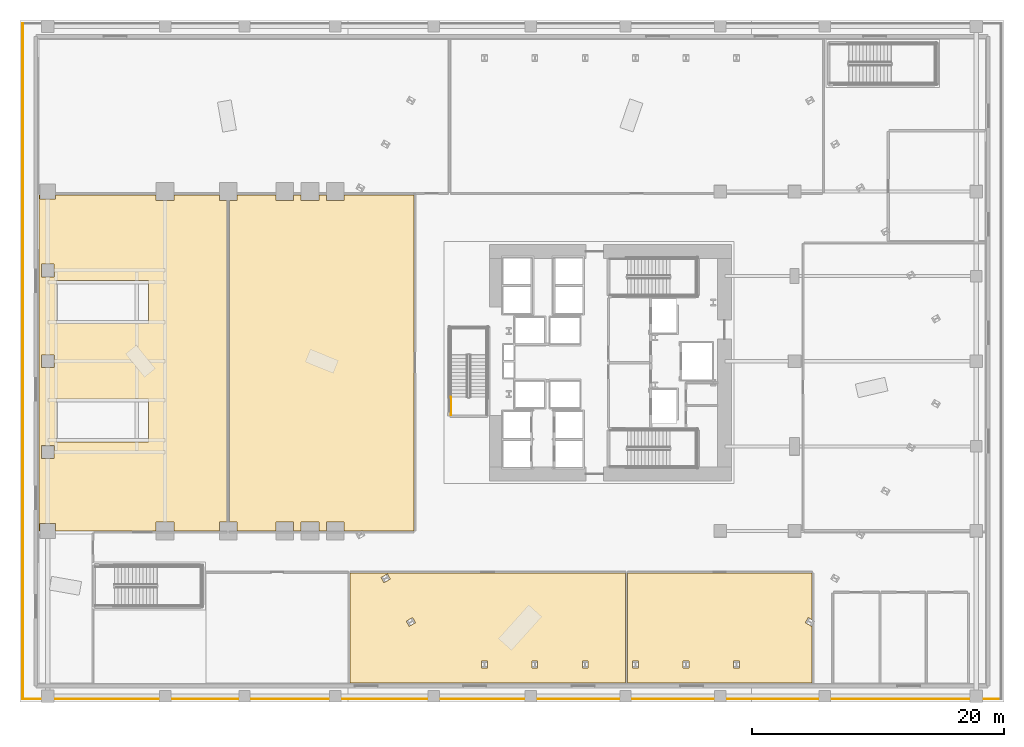
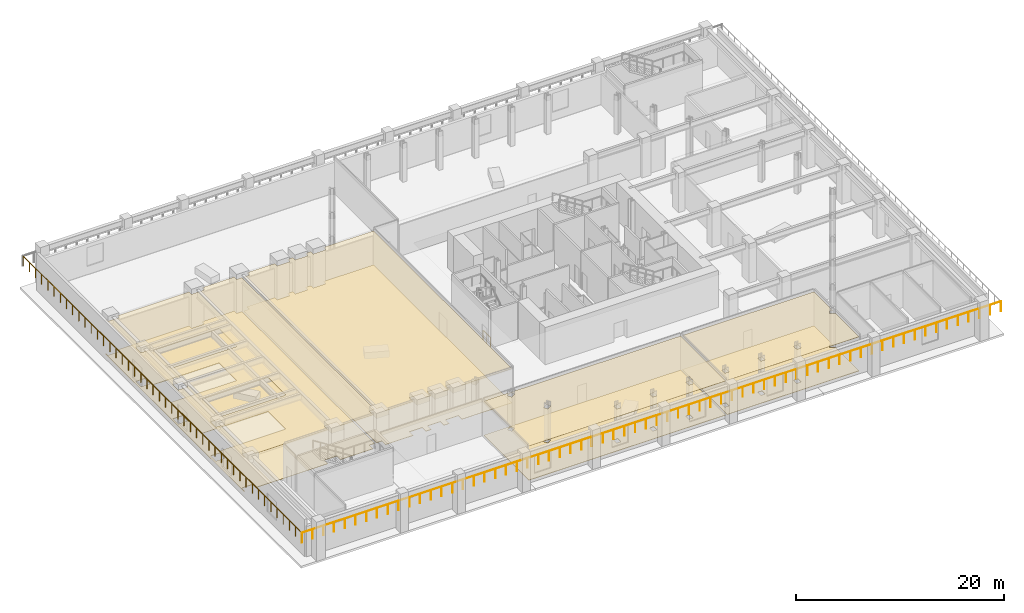
# One storey, part 10 of 18: 8 coverings, 3 railings.
"""IFC4 building model written with IfcOpenShell, lengths in metres."""

from ifc_helpers import new_model, si_unit, direction, frame, origin, origin_2d, place, context, subcontext, project, spatial, polyline, circle, outline, extrude, material, layer, layer_set, type_object, element, save


model = new_model("IFC4")

# Units and contexts
model_context = context("Model", 3, precision=1e-05, world=origin(), true_north=direction((0.0, 1.0)))
body_context = subcontext(model_context, "Body", "Model", "MODEL_VIEW")
ifc_project = project(units=[si_unit("LENGTHUNIT", "METRE"), si_unit("AREAUNIT", "SQUARE_METRE"), si_unit("VOLUMEUNIT", "CUBIC_METRE"), si_unit("PLANEANGLEUNIT", "RADIAN"), si_unit("MASSUNIT", "GRAM", prefix="KILO")], contexts=[model_context])

# Site, building, storey
site_placement = place(None, origin())
site = spatial("IfcSite", under=ifc_project, at=site_placement, CompositionType="ELEMENT")
building_placement = place(site_placement, origin())
building = spatial("IfcBuilding", under=site, at=building_placement, Name="Valkerne Bourse Tower", CompositionType="ELEMENT")
storey_placement = place(building_placement, frame((0.0, 0.0, 14.800048828125)))
storey = spatial("IfcBuildingStorey", under=building, at=storey_placement, Name="L03", CompositionType="ELEMENT", Elevation=14.800048828125)

# Coverings
ifc_material_1 = material(Name="Mineral Fiber Acoustic Ceiling Tile", Category="acoustic")
ifc_layer_1 = layer(ifc_material_1, 0.02490234375)
ifc_layer_set_1 = layer_set([ifc_layer_1], Name="Mineral Fiber Acoustic Ceiling Tile")
covering_type_1 = type_object("IfcCoveringType", Name="COV-CEIL-ACT", PredefinedType="CEILING", material=ifc_layer_set_1)
covering_1_placement = place(storey_placement, frame((0.0, 0.0, 4.010009765625)))
element("IfcCovering", 1, at=covering_1_placement, inside=storey, type_object=covering_type_1, Name="L03 Suspended Ceiling 03", PredefinedType="CEILING", context=body_context, shape_type="SweptSolid", body=[
    extrude(outline(polyline([(26.1640625, 10.196044921875), (47.99609375, 10.196044921875), (47.99609375, 1.50390625), (26.1640625, 1.50390625), (26.1640625, 10.196044921875)]), holes=[polyline([(28.618896484375, 9.84912109375), (28.850341796875, 9.4482421875), (29.35009765625, 9.73681640625), (29.11865234375, 10.137451171875), (28.618896484375, 9.84912109375)]), polyline([(37.04150390625, 3.25634765625), (36.57861328125, 3.25634765625), (36.57861328125, 2.67919921875), (37.04150390625, 2.67919921875), (37.04150390625, 3.25634765625)]), polyline([(45.033203125, 3.25634765625), (44.57080078125, 3.25634765625), (44.57080078125, 2.67919921875), (45.033203125, 2.67919921875), (45.033203125, 3.25634765625)]), polyline([(40.57470703125, 3.25634765625), (40.57470703125, 2.67919921875), (41.037353515625, 2.67919921875), (41.037353515625, 3.25634765625), (40.57470703125, 3.25634765625)]), polyline([(31.11669921875, 6.677001953125), (30.616943359375, 6.388427734375), (30.848388671875, 5.98779296875), (31.347900390625, 6.276123046875), (31.11669921875, 6.677001953125)])]), origin(), (0.0, 0.0, 1.0), 0.02490234375),
])
covering_2_placement = place(storey_placement, frame((0.0, 0.0, 4.010009765625)))
element("IfcCovering", 2, at=covering_2_placement, inside=storey, type_object=covering_type_1, Name="L03 Suspended Ceiling 04", PredefinedType="CEILING", context=body_context, shape_type="SweptSolid", body=[
    extrude(outline(polyline([(48.1640625, 10.196044921875), (62.7958984375, 10.196044921875), (62.7958984375, 6.496337890625), (62.4833984375, 6.677001953125), (62.251953125, 6.276123046875), (62.751708984375, 5.98779296875), (62.7958984375, 6.064453125), (62.7958984375, 1.50390625), (48.1640625, 1.50390625), (48.1640625, 10.196044921875)]), holes=[polyline([(48.566650390625, 3.25634765625), (48.566650390625, 2.67919921875), (49.029296875, 2.67919921875), (49.029296875, 3.25634765625), (48.566650390625, 3.25634765625)]), polyline([(52.5625, 3.25634765625), (52.5625, 2.67919921875), (53.025390625, 2.67919921875), (53.025390625, 3.25634765625), (52.5625, 3.25634765625)]), polyline([(57.021240234375, 3.25634765625), (56.55859375, 3.25634765625), (56.55859375, 2.67919921875), (57.021240234375, 2.67919921875), (57.021240234375, 3.25634765625)])]), origin(), (0.0, 0.0, 1.0), 0.02490234375),
])
covering_3_placement = place(storey_placement, frame((0.0, 0.0, 4.010009765625)))
element("IfcCovering", 3, at=covering_3_placement, inside=storey, type_object=covering_type_1, Name="L03 Suspended Ceiling 12", PredefinedType="CEILING", context=body_context, shape_type="SweptSolid", body=[
    extrude(outline(polyline([(1.50390625, 40.196044921875), (1.595947265625, 40.196044921875), (1.595947265625, 39.845947265625), (2.803955078125, 39.845947265625), (2.803955078125, 40.196044921875), (10.7958984375, 40.196044921875), (10.7958984375, 39.74609375), (12.2041015625, 39.74609375), (12.2041015625, 40.196044921875), (15.7958984375, 40.196044921875), (15.7958984375, 39.74609375), (16.39599609375, 39.74609375), (16.39599609375, 14.25390625), (15.7958984375, 14.25390625), (15.7958984375, 13.553955078125), (12.2041015625, 13.553955078125), (12.2041015625, 14.25390625), (10.7958984375, 14.25390625), (10.7958984375, 13.553955078125), (2.803955078125, 13.553955078125), (2.803955078125, 14.154052734375), (1.595947265625, 14.154052734375), (1.595947265625, 13.553955078125), (1.50390625, 13.553955078125), (1.50390625, 40.196044921875)]), holes=[polyline([(1.696044921875, 20.303955078125), (1.696044921875, 19.2958984375), (2.7041015625, 19.2958984375), (2.7041015625, 20.303955078125), (1.696044921875, 20.303955078125)]), polyline([(2.89990234375, 24.0), (2.89990234375, 20.60009765625), (10.199951171875, 20.60009765625), (10.199951171875, 24.0), (2.89990234375, 24.0)]), polyline([(2.7041015625, 27.50390625), (1.696044921875, 27.50390625), (1.696044921875, 26.49609375), (2.7041015625, 26.49609375), (2.7041015625, 27.50390625)]), polyline([(2.89990234375, 30.0), (10.199951171875, 30.0), (10.199951171875, 33.39990234375), (2.89990234375, 33.39990234375), (2.89990234375, 30.0)]), polyline([(2.7041015625, 34.7041015625), (1.696044921875, 34.7041015625), (1.696044921875, 33.696044921875), (2.7041015625, 33.696044921875), (2.7041015625, 34.7041015625)])]), origin(), (0.0, 0.0, 1.0), 0.02490234375),
])
covering_4_placement = place(storey_placement, frame((0.0, 0.0, 4.010009765625)))
element("IfcCovering", 4, at=covering_4_placement, inside=storey, type_object=covering_type_1, Name="L03 Suspended Ceiling 13", PredefinedType="CEILING", context=body_context, shape_type="SweptSolid", body=[
    extrude(outline(polyline([(16.60400390625, 39.74609375), (17.2041015625, 39.74609375), (17.2041015625, 40.196044921875), (20.2880859375, 40.196044921875), (20.2880859375, 39.74609375), (21.696044921875, 39.74609375), (21.696044921875, 40.196044921875), (22.287109375, 40.196044921875), (22.287109375, 39.74609375), (23.695068359375, 39.74609375), (23.695068359375, 40.196044921875), (24.283935546875, 40.196044921875), (24.283935546875, 39.74609375), (25.69189453125, 39.74609375), (25.69189453125, 40.196044921875), (31.24609375, 40.196044921875), (31.24609375, 13.553955078125), (27.146240234375, 13.553955078125), (27.12060546875, 13.59814453125), (27.044189453125, 13.553955078125), (25.69189453125, 13.553955078125), (25.69189453125, 14.25390625), (24.283935546875, 14.25390625), (24.283935546875, 13.553955078125), (23.695068359375, 13.553955078125), (23.695068359375, 14.25390625), (22.287109375, 14.25390625), (22.287109375, 13.553955078125), (21.696044921875, 13.553955078125), (21.696044921875, 14.25390625), (20.2880859375, 14.25390625), (20.2880859375, 13.553955078125), (17.2041015625, 13.553955078125), (17.2041015625, 14.25390625), (16.60400390625, 14.25390625), (16.60400390625, 39.74609375)])), origin(), (0.0, 0.0, 1.0), 0.02490234375),
])
ifc_material_2 = material(Name="Galvanised Painted Steel", Category="steel")
ifc_layer_2 = layer(ifc_material_2, 0.044921875)
ifc_layer_set_2 = layer_set([ifc_layer_2], Name="Galvanised Painted Steel")
covering_type_2 = type_object("IfcCoveringType", Name="COV-FLR-RAF", PredefinedType="FLOORING", material=ifc_layer_set_2)
covering_5_placement = place(storey_placement, origin())
element("IfcCovering", 5, at=covering_5_placement, inside=storey, type_object=covering_type_2, Name="L03 Floor Finish 03", PredefinedType="FLOORING", context=body_context, shape_type="SweptSolid", body=[
    extrude(outline(polyline([(26.1640625, 10.196044921875), (47.99609375, 10.196044921875), (47.99609375, 1.50390625), (26.1640625, 1.50390625), (26.1640625, 10.196044921875)]), holes=[polyline([(28.618896484375, 9.84912109375), (28.850341796875, 9.4482421875), (29.35009765625, 9.73681640625), (29.11865234375, 10.137451171875), (28.618896484375, 9.84912109375)]), polyline([(37.04150390625, 3.25634765625), (36.57861328125, 3.25634765625), (36.57861328125, 2.67919921875), (37.04150390625, 2.67919921875), (37.04150390625, 3.25634765625)]), polyline([(45.033203125, 3.25634765625), (44.57080078125, 3.25634765625), (44.57080078125, 2.67919921875), (45.033203125, 2.67919921875), (45.033203125, 3.25634765625)]), polyline([(40.57470703125, 3.25634765625), (40.57470703125, 2.67919921875), (41.037353515625, 2.67919921875), (41.037353515625, 3.25634765625), (40.57470703125, 3.25634765625)]), polyline([(31.11669921875, 6.677001953125), (30.616943359375, 6.388427734375), (30.848388671875, 5.98779296875), (31.347900390625, 6.276123046875), (31.11669921875, 6.677001953125)])]), origin(), (0.0, 0.0, 1.0), 0.044921875),
])
covering_6_placement = place(storey_placement, origin())
element("IfcCovering", 6, at=covering_6_placement, inside=storey, type_object=covering_type_2, Name="L03 Floor Finish 04", PredefinedType="FLOORING", context=body_context, shape_type="SweptSolid", body=[
    extrude(outline(polyline([(48.1640625, 10.196044921875), (62.7958984375, 10.196044921875), (62.7958984375, 6.496337890625), (62.4833984375, 6.677001953125), (62.251953125, 6.276123046875), (62.751708984375, 5.98779296875), (62.7958984375, 6.064453125), (62.7958984375, 1.50390625), (48.1640625, 1.50390625), (48.1640625, 10.196044921875)]), holes=[polyline([(48.566650390625, 3.25634765625), (48.566650390625, 2.67919921875), (49.029296875, 2.67919921875), (49.029296875, 3.25634765625), (48.566650390625, 3.25634765625)]), polyline([(52.5625, 3.25634765625), (52.5625, 2.67919921875), (53.025390625, 2.67919921875), (53.025390625, 3.25634765625), (52.5625, 3.25634765625)]), polyline([(57.021240234375, 3.25634765625), (56.55859375, 3.25634765625), (56.55859375, 2.67919921875), (57.021240234375, 2.67919921875), (57.021240234375, 3.25634765625)])]), origin(), (0.0, 0.0, 1.0), 0.044921875),
])
covering_7_placement = place(storey_placement, origin())
element("IfcCovering", 7, at=covering_7_placement, inside=storey, type_object=covering_type_2, Name="L03 Floor Finish 12", PredefinedType="FLOORING", context=body_context, shape_type="SweptSolid", body=[
    extrude(outline(polyline([(1.50390625, 40.196044921875), (1.595947265625, 40.196044921875), (1.595947265625, 39.845947265625), (2.803955078125, 39.845947265625), (2.803955078125, 40.196044921875), (10.7958984375, 40.196044921875), (10.7958984375, 39.74609375), (12.2041015625, 39.74609375), (12.2041015625, 40.196044921875), (15.7958984375, 40.196044921875), (15.7958984375, 39.74609375), (16.39599609375, 39.74609375), (16.39599609375, 14.25390625), (15.7958984375, 14.25390625), (15.7958984375, 13.553955078125), (12.2041015625, 13.553955078125), (12.2041015625, 14.25390625), (10.7958984375, 14.25390625), (10.7958984375, 13.553955078125), (2.803955078125, 13.553955078125), (2.803955078125, 14.154052734375), (1.595947265625, 14.154052734375), (1.595947265625, 13.553955078125), (1.50390625, 13.553955078125), (1.50390625, 40.196044921875)]), holes=[polyline([(1.696044921875, 20.303955078125), (1.696044921875, 19.2958984375), (2.7041015625, 19.2958984375), (2.7041015625, 20.303955078125), (1.696044921875, 20.303955078125)]), polyline([(2.89990234375, 24.0), (2.89990234375, 20.60009765625), (10.199951171875, 20.60009765625), (10.199951171875, 24.0), (2.89990234375, 24.0)]), polyline([(2.7041015625, 27.50390625), (1.696044921875, 27.50390625), (1.696044921875, 26.49609375), (2.7041015625, 26.49609375), (2.7041015625, 27.50390625)]), polyline([(2.89990234375, 30.0), (10.199951171875, 30.0), (10.199951171875, 33.39990234375), (2.89990234375, 33.39990234375), (2.89990234375, 30.0)]), polyline([(2.7041015625, 34.7041015625), (1.696044921875, 34.7041015625), (1.696044921875, 33.696044921875), (2.7041015625, 33.696044921875), (2.7041015625, 34.7041015625)])]), origin(), (0.0, 0.0, 1.0), 0.044921875),
])
covering_8_placement = place(storey_placement, origin())
element("IfcCovering", 8, at=covering_8_placement, inside=storey, type_object=covering_type_2, Name="L03 Floor Finish 13", PredefinedType="FLOORING", context=body_context, shape_type="SweptSolid", body=[
    extrude(outline(polyline([(16.60400390625, 39.74609375), (17.2041015625, 39.74609375), (17.2041015625, 40.196044921875), (20.2880859375, 40.196044921875), (20.2880859375, 39.74609375), (21.696044921875, 39.74609375), (21.696044921875, 40.196044921875), (22.287109375, 40.196044921875), (22.287109375, 39.74609375), (23.695068359375, 39.74609375), (23.695068359375, 40.196044921875), (24.283935546875, 40.196044921875), (24.283935546875, 39.74609375), (25.69189453125, 39.74609375), (25.69189453125, 40.196044921875), (31.24609375, 40.196044921875), (31.24609375, 13.553955078125), (27.146240234375, 13.553955078125), (27.12060546875, 13.59814453125), (27.044189453125, 13.553955078125), (25.69189453125, 13.553955078125), (25.69189453125, 14.25390625), (24.283935546875, 14.25390625), (24.283935546875, 13.553955078125), (23.695068359375, 13.553955078125), (23.695068359375, 14.25390625), (22.287109375, 14.25390625), (22.287109375, 13.553955078125), (21.696044921875, 13.553955078125), (21.696044921875, 14.25390625), (20.2880859375, 14.25390625), (20.2880859375, 13.553955078125), (17.2041015625, 13.553955078125), (17.2041015625, 14.25390625), (16.60400390625, 14.25390625), (16.60400390625, 39.74609375)])), origin(), (0.0, 0.0, 1.0), 0.044921875),
])

# Railings
ifc_material_3 = material(Name="Laminated Tempered Safety Glass", Category="glass")
railing_type_1 = type_object("IfcRailingType", Name="RLG-GUARD-1150", PredefinedType="BALUSTRADE", material=ifc_material_3)
railing_1_placement = place(storey_placement, frame((0.219970703125, 0.219970703125, 2.599853515625)))
element("IfcRailing", 9, at=railing_1_placement, inside=storey, type_object=railing_type_1, Name="L03 Perimeter Guard Railing GRD-POD-L03-01", PredefinedType="BALUSTRADE", context=body_context, shape_type="SweptSolid", body=[
    extrude(circle(Radius=0.02392578125, at=origin_2d()), frame((0.0, 0.0, 1.1259765625), z_axis=(1.0, 0.0, 0.0), x_axis=(0.0, 1.0, 0.0)), (0.0, 0.0, 1.0), 77.56005859375),
    extrude(circle(Radius=0.02099609375, at=origin_2d()), origin(), (0.0, 0.0, 1.0), 1.101806640625),
    extrude(circle(Radius=0.02099609375, at=origin_2d()), frame((1.193115234375, 0.0, 0.0)), (0.0, 0.0, 1.0), 1.101806640625),
    extrude(circle(Radius=0.02099609375, at=origin_2d()), frame((2.386474609375, 0.0, 0.0)), (0.0, 0.0, 1.0), 1.101806640625),
    extrude(circle(Radius=0.02099609375, at=origin_2d()), frame((3.57958984375, 0.0, 0.0)), (0.0, 0.0, 1.0), 1.101806640625),
    extrude(circle(Radius=0.02099609375, at=origin_2d()), frame((4.77294921875, 0.0, 0.0)), (0.0, 0.0, 1.0), 1.101806640625),
    extrude(circle(Radius=0.02099609375, at=origin_2d()), frame((5.966064453125, 0.0, 0.0)), (0.0, 0.0, 1.0), 1.101806640625),
    extrude(circle(Radius=0.02099609375, at=origin_2d()), frame((7.159423828125, 0.0, 0.0)), (0.0, 0.0, 1.0), 1.101806640625),
    extrude(circle(Radius=0.02099609375, at=origin_2d()), frame((8.3525390625, 0.0, 0.0)), (0.0, 0.0, 1.0), 1.101806640625),
    extrude(circle(Radius=0.02099609375, at=origin_2d()), frame((9.5458984375, 0.0, 0.0)), (0.0, 0.0, 1.0), 1.101806640625),
    extrude(circle(Radius=0.02099609375, at=origin_2d()), frame((10.739013671875, 0.0, 0.0)), (0.0, 0.0, 1.0), 1.101806640625),
    extrude(circle(Radius=0.02099609375, at=origin_2d()), frame((11.932373046875, 0.0, 0.0)), (0.0, 0.0, 1.0), 1.101806640625),
    extrude(circle(Radius=0.02099609375, at=origin_2d()), frame((13.12548828125, 0.0, 0.0)), (0.0, 0.0, 1.0), 1.101806640625),
    extrude(circle(Radius=0.02099609375, at=origin_2d()), frame((14.31884765625, 0.0, 0.0)), (0.0, 0.0, 1.0), 1.101806640625),
    extrude(circle(Radius=0.02099609375, at=origin_2d()), frame((15.511962890625, 0.0, 0.0)), (0.0, 0.0, 1.0), 1.101806640625),
    extrude(circle(Radius=0.02099609375, at=origin_2d()), frame((16.705322265625, 0.0, 0.0)), (0.0, 0.0, 1.0), 1.101806640625),
    extrude(circle(Radius=0.02099609375, at=origin_2d()), frame((17.8984375, 0.0, 0.0)), (0.0, 0.0, 1.0), 1.101806640625),
    extrude(circle(Radius=0.02099609375, at=origin_2d()), frame((19.091796875, 0.0, 0.0)), (0.0, 0.0, 1.0), 1.101806640625),
    extrude(circle(Radius=0.02099609375, at=origin_2d()), frame((20.284912109375, 0.0, 0.0)), (0.0, 0.0, 1.0), 1.101806640625),
    extrude(circle(Radius=0.02099609375, at=origin_2d()), frame((21.478271484375, 0.0, 0.0)), (0.0, 0.0, 1.0), 1.101806640625),
    extrude(circle(Radius=0.02099609375, at=origin_2d()), frame((22.67138671875, 0.0, 0.0)), (0.0, 0.0, 1.0), 1.101806640625),
    extrude(circle(Radius=0.02099609375, at=origin_2d()), frame((23.86474609375, 0.0, 0.0)), (0.0, 0.0, 1.0), 1.101806640625),
    extrude(circle(Radius=0.02099609375, at=origin_2d()), frame((25.057861328125, 0.0, 0.0)), (0.0, 0.0, 1.0), 1.101806640625),
    extrude(circle(Radius=0.02099609375, at=origin_2d()), frame((26.2509765625, 0.0, 0.0)), (0.0, 0.0, 1.0), 1.101806640625),
    extrude(circle(Radius=0.02099609375, at=origin_2d()), frame((27.4443359375, 0.0, 0.0)), (0.0, 0.0, 1.0), 1.101806640625),
    extrude(circle(Radius=0.02099609375, at=origin_2d()), frame((28.637451171875, 0.0, 0.0)), (0.0, 0.0, 1.0), 1.101806640625),
    extrude(circle(Radius=0.02099609375, at=origin_2d()), frame((29.830810546875, 0.0, 0.0)), (0.0, 0.0, 1.0), 1.101806640625),
    extrude(circle(Radius=0.02099609375, at=origin_2d()), frame((31.02392578125, 0.0, 0.0)), (0.0, 0.0, 1.0), 1.101806640625),
    extrude(circle(Radius=0.02099609375, at=origin_2d()), frame((32.21728515625, 0.0, 0.0)), (0.0, 0.0, 1.0), 1.101806640625),
    extrude(circle(Radius=0.02099609375, at=origin_2d()), frame((33.410400390625, 0.0, 0.0)), (0.0, 0.0, 1.0), 1.101806640625),
    extrude(circle(Radius=0.02099609375, at=origin_2d()), frame((34.603759765625, 0.0, 0.0)), (0.0, 0.0, 1.0), 1.101806640625),
    extrude(circle(Radius=0.02099609375, at=origin_2d()), frame((35.796875, 0.0, 0.0)), (0.0, 0.0, 1.0), 1.101806640625),
    extrude(circle(Radius=0.02099609375, at=origin_2d()), frame((36.990234375, 0.0, 0.0)), (0.0, 0.0, 1.0), 1.101806640625),
    extrude(circle(Radius=0.02099609375, at=origin_2d()), frame((38.183349609375, 0.0, 0.0)), (0.0, 0.0, 1.0), 1.101806640625),
    extrude(circle(Radius=0.02099609375, at=origin_2d()), frame((39.376708984375, 0.0, 0.0)), (0.0, 0.0, 1.0), 1.101806640625),
    extrude(circle(Radius=0.02099609375, at=origin_2d()), frame((40.56982421875, 0.0, 0.0)), (0.0, 0.0, 1.0), 1.101806640625),
    extrude(circle(Radius=0.02099609375, at=origin_2d()), frame((41.76318359375, 0.0, 0.0)), (0.0, 0.0, 1.0), 1.101806640625),
    extrude(circle(Radius=0.02099609375, at=origin_2d()), frame((42.956298828125, 0.0, 0.0)), (0.0, 0.0, 1.0), 1.101806640625),
    extrude(circle(Radius=0.02099609375, at=origin_2d()), frame((44.149658203125, 0.0, 0.0)), (0.0, 0.0, 1.0), 1.101806640625),
    extrude(circle(Radius=0.02099609375, at=origin_2d()), frame((45.3427734375, 0.0, 0.0)), (0.0, 0.0, 1.0), 1.101806640625),
    extrude(circle(Radius=0.02099609375, at=origin_2d()), frame((46.5361328125, 0.0, 0.0)), (0.0, 0.0, 1.0), 1.101806640625),
    extrude(circle(Radius=0.02099609375, at=origin_2d()), frame((47.729248046875, 0.0, 0.0)), (0.0, 0.0, 1.0), 1.101806640625),
    extrude(circle(Radius=0.02099609375, at=origin_2d()), frame((48.922607421875, 0.0, 0.0)), (0.0, 0.0, 1.0), 1.101806640625),
    extrude(circle(Radius=0.02099609375, at=origin_2d()), frame((50.11572265625, 0.0, 0.0)), (0.0, 0.0, 1.0), 1.101806640625),
    extrude(circle(Radius=0.02099609375, at=origin_2d()), frame((51.30908203125, 0.0, 0.0)), (0.0, 0.0, 1.0), 1.101806640625),
    extrude(circle(Radius=0.02099609375, at=origin_2d()), frame((52.502197265625, 0.0, 0.0)), (0.0, 0.0, 1.0), 1.101806640625),
    extrude(circle(Radius=0.02099609375, at=origin_2d()), frame((53.6953125, 0.0, 0.0)), (0.0, 0.0, 1.0), 1.101806640625),
    extrude(circle(Radius=0.02099609375, at=origin_2d()), frame((54.888671875, 0.0, 0.0)), (0.0, 0.0, 1.0), 1.101806640625),
    extrude(circle(Radius=0.02099609375, at=origin_2d()), frame((56.081787109375, 0.0, 0.0)), (0.0, 0.0, 1.0), 1.101806640625),
    extrude(circle(Radius=0.02099609375, at=origin_2d()), frame((57.275146484375, 0.0, 0.0)), (0.0, 0.0, 1.0), 1.101806640625),
    extrude(circle(Radius=0.02099609375, at=origin_2d()), frame((58.46826171875, 0.0, 0.0)), (0.0, 0.0, 1.0), 1.101806640625),
    extrude(circle(Radius=0.02099609375, at=origin_2d()), frame((59.66162109375, 0.0, 0.0)), (0.0, 0.0, 1.0), 1.101806640625),
    extrude(circle(Radius=0.02099609375, at=origin_2d()), frame((60.854736328125, 0.0, 0.0)), (0.0, 0.0, 1.0), 1.101806640625),
    extrude(circle(Radius=0.02099609375, at=origin_2d()), frame((62.048095703125, 0.0, 0.0)), (0.0, 0.0, 1.0), 1.101806640625),
    extrude(circle(Radius=0.02099609375, at=origin_2d()), frame((63.2412109375, 0.0, 0.0)), (0.0, 0.0, 1.0), 1.101806640625),
    extrude(circle(Radius=0.02099609375, at=origin_2d()), frame((64.4345703125, 0.0, 0.0)), (0.0, 0.0, 1.0), 1.101806640625),
    extrude(circle(Radius=0.02099609375, at=origin_2d()), frame((65.627685546875, 0.0, 0.0)), (0.0, 0.0, 1.0), 1.101806640625),
    extrude(circle(Radius=0.02099609375, at=origin_2d()), frame((66.821044921875, 0.0, 0.0)), (0.0, 0.0, 1.0), 1.101806640625),
    extrude(circle(Radius=0.02099609375, at=origin_2d()), frame((68.01416015625, 0.0, 0.0)), (0.0, 0.0, 1.0), 1.101806640625),
    extrude(circle(Radius=0.02099609375, at=origin_2d()), frame((69.20751953125, 0.0, 0.0)), (0.0, 0.0, 1.0), 1.101806640625),
    extrude(circle(Radius=0.02099609375, at=origin_2d()), frame((70.400634765625, 0.0, 0.0)), (0.0, 0.0, 1.0), 1.101806640625),
    extrude(circle(Radius=0.02099609375, at=origin_2d()), frame((71.593994140625, 0.0, 0.0)), (0.0, 0.0, 1.0), 1.101806640625),
    extrude(circle(Radius=0.02099609375, at=origin_2d()), frame((72.787109375, 0.0, 0.0)), (0.0, 0.0, 1.0), 1.101806640625),
    extrude(circle(Radius=0.02099609375, at=origin_2d()), frame((73.98046875, 0.0, 0.0)), (0.0, 0.0, 1.0), 1.101806640625),
    extrude(circle(Radius=0.02099609375, at=origin_2d()), frame((75.173583984375, 0.0, 0.0)), (0.0, 0.0, 1.0), 1.101806640625),
    extrude(circle(Radius=0.02099609375, at=origin_2d()), frame((76.366943359375, 0.0, 0.0)), (0.0, 0.0, 1.0), 1.101806640625),
    extrude(circle(Radius=0.02099609375, at=origin_2d()), frame((77.56005859375, 0.0, 0.0)), (0.0, 0.0, 1.0), 1.101806640625),
])
railing_2_placement = place(storey_placement, frame((0.219970703125, 53.780029296875, 2.599853515625)))
element("IfcRailing", 10, at=railing_2_placement, inside=storey, type_object=railing_type_1, Name="L03 Perimeter Guard Railing GRD-POD-L03-04", PredefinedType="BALUSTRADE", context=body_context, shape_type="SweptSolid", body=[
    extrude(circle(Radius=0.02392578125, at=origin_2d()), frame((0.0, 0.0, 1.1259765625), z_axis=(0.0, -1.0, 0.0), x_axis=(1.0, 0.0, 0.0)), (0.0, 0.0, 1.0), 53.56005859375),
    extrude(circle(Radius=0.02099609375, at=origin_2d()), origin(), (0.0, 0.0, 1.0), 1.101806640625),
    extrude(circle(Radius=0.02099609375, at=origin_2d()), frame((0.0, -1.190185546875, 0.0)), (0.0, 0.0, 1.0), 1.101806640625),
    extrude(circle(Radius=0.02099609375, at=origin_2d()), frame((0.0, -2.38037109375, 0.0)), (0.0, 0.0, 1.0), 1.101806640625),
    extrude(circle(Radius=0.02099609375, at=origin_2d()), frame((0.0, -3.570556640625, 0.0)), (0.0, 0.0, 1.0), 1.101806640625),
    extrude(circle(Radius=0.02099609375, at=origin_2d()), frame((0.0, -4.760986328125, 0.0)), (0.0, 0.0, 1.0), 1.101806640625),
    extrude(circle(Radius=0.02099609375, at=origin_2d()), frame((0.0, -5.951171875, 0.0)), (0.0, 0.0, 1.0), 1.101806640625),
    extrude(circle(Radius=0.02099609375, at=origin_2d()), frame((0.0, -7.141357421875, 0.0)), (0.0, 0.0, 1.0), 1.101806640625),
    extrude(circle(Radius=0.02099609375, at=origin_2d()), frame((0.0, -8.33154296875, 0.0)), (0.0, 0.0, 1.0), 1.101806640625),
    extrude(circle(Radius=0.02099609375, at=origin_2d()), frame((0.0, -9.521728515625, 0.0)), (0.0, 0.0, 1.0), 1.101806640625),
    extrude(circle(Radius=0.02099609375, at=origin_2d()), frame((0.0, -10.7119140625, 0.0)), (0.0, 0.0, 1.0), 1.101806640625),
    extrude(circle(Radius=0.02099609375, at=origin_2d()), frame((0.0, -11.90234375, 0.0)), (0.0, 0.0, 1.0), 1.101806640625),
    extrude(circle(Radius=0.02099609375, at=origin_2d()), frame((0.0, -13.092529296875, 0.0)), (0.0, 0.0, 1.0), 1.101806640625),
    extrude(circle(Radius=0.02099609375, at=origin_2d()), frame((0.0, -14.28271484375, 0.0)), (0.0, 0.0, 1.0), 1.101806640625),
    extrude(circle(Radius=0.02099609375, at=origin_2d()), frame((0.0, -15.472900390625, 0.0)), (0.0, 0.0, 1.0), 1.101806640625),
    extrude(circle(Radius=0.02099609375, at=origin_2d()), frame((0.0, -16.6630859375, 0.0)), (0.0, 0.0, 1.0), 1.101806640625),
    extrude(circle(Radius=0.02099609375, at=origin_2d()), frame((0.0, -17.853271484375, 0.0)), (0.0, 0.0, 1.0), 1.101806640625),
    extrude(circle(Radius=0.02099609375, at=origin_2d()), frame((0.0, -19.04345703125, 0.0)), (0.0, 0.0, 1.0), 1.101806640625),
    extrude(circle(Radius=0.02099609375, at=origin_2d()), frame((0.0, -20.23388671875, 0.0)), (0.0, 0.0, 1.0), 1.101806640625),
    extrude(circle(Radius=0.02099609375, at=origin_2d()), frame((0.0, -21.424072265625, 0.0)), (0.0, 0.0, 1.0), 1.101806640625),
    extrude(circle(Radius=0.02099609375, at=origin_2d()), frame((0.0, -22.6142578125, 0.0)), (0.0, 0.0, 1.0), 1.101806640625),
    extrude(circle(Radius=0.02099609375, at=origin_2d()), frame((0.0, -23.804443359375, 0.0)), (0.0, 0.0, 1.0), 1.101806640625),
    extrude(circle(Radius=0.02099609375, at=origin_2d()), frame((0.0, -24.99462890625, 0.0)), (0.0, 0.0, 1.0), 1.101806640625),
    extrude(circle(Radius=0.02099609375, at=origin_2d()), frame((0.0, -26.184814453125, 0.0)), (0.0, 0.0, 1.0), 1.101806640625),
    extrude(circle(Radius=0.02099609375, at=origin_2d()), frame((0.0, -27.375244140625, 0.0)), (0.0, 0.0, 1.0), 1.101806640625),
    extrude(circle(Radius=0.02099609375, at=origin_2d()), frame((0.0, -28.5654296875, 0.0)), (0.0, 0.0, 1.0), 1.101806640625),
    extrude(circle(Radius=0.02099609375, at=origin_2d()), frame((0.0, -29.755615234375, 0.0)), (0.0, 0.0, 1.0), 1.101806640625),
    extrude(circle(Radius=0.02099609375, at=origin_2d()), frame((0.0, -30.94580078125, 0.0)), (0.0, 0.0, 1.0), 1.101806640625),
    extrude(circle(Radius=0.02099609375, at=origin_2d()), frame((0.0, -32.135986328125, 0.0)), (0.0, 0.0, 1.0), 1.101806640625),
    extrude(circle(Radius=0.02099609375, at=origin_2d()), frame((0.0, -33.326171875, 0.0)), (0.0, 0.0, 1.0), 1.101806640625),
    extrude(circle(Radius=0.02099609375, at=origin_2d()), frame((0.0, -34.5166015625, 0.0)), (0.0, 0.0, 1.0), 1.101806640625),
    extrude(circle(Radius=0.02099609375, at=origin_2d()), frame((0.0, -35.706787109375, 0.0)), (0.0, 0.0, 1.0), 1.101806640625),
    extrude(circle(Radius=0.02099609375, at=origin_2d()), frame((0.0, -36.89697265625, 0.0)), (0.0, 0.0, 1.0), 1.101806640625),
    extrude(circle(Radius=0.02099609375, at=origin_2d()), frame((0.0, -38.087158203125, 0.0)), (0.0, 0.0, 1.0), 1.101806640625),
    extrude(circle(Radius=0.02099609375, at=origin_2d()), frame((0.0, -39.27734375, 0.0)), (0.0, 0.0, 1.0), 1.101806640625),
    extrude(circle(Radius=0.02099609375, at=origin_2d()), frame((0.0, -40.467529296875, 0.0)), (0.0, 0.0, 1.0), 1.101806640625),
    extrude(circle(Radius=0.02099609375, at=origin_2d()), frame((0.0, -41.65771484375, 0.0)), (0.0, 0.0, 1.0), 1.101806640625),
    extrude(circle(Radius=0.02099609375, at=origin_2d()), frame((0.0, -42.84814453125, 0.0)), (0.0, 0.0, 1.0), 1.101806640625),
    extrude(circle(Radius=0.02099609375, at=origin_2d()), frame((0.0, -44.038330078125, 0.0)), (0.0, 0.0, 1.0), 1.101806640625),
    extrude(circle(Radius=0.02099609375, at=origin_2d()), frame((0.0, -45.228515625, 0.0)), (0.0, 0.0, 1.0), 1.101806640625),
    extrude(circle(Radius=0.02099609375, at=origin_2d()), frame((0.0, -46.418701171875, 0.0)), (0.0, 0.0, 1.0), 1.101806640625),
    extrude(circle(Radius=0.02099609375, at=origin_2d()), frame((0.0, -47.60888671875, 0.0)), (0.0, 0.0, 1.0), 1.101806640625),
    extrude(circle(Radius=0.02099609375, at=origin_2d()), frame((0.0, -48.799072265625, 0.0)), (0.0, 0.0, 1.0), 1.101806640625),
    extrude(circle(Radius=0.02099609375, at=origin_2d()), frame((0.0, -49.989501953125, 0.0)), (0.0, 0.0, 1.0), 1.101806640625),
    extrude(circle(Radius=0.02099609375, at=origin_2d()), frame((0.0, -51.1796875, 0.0)), (0.0, 0.0, 1.0), 1.101806640625),
    extrude(circle(Radius=0.02099609375, at=origin_2d()), frame((0.0, -52.369873046875, 0.0)), (0.0, 0.0, 1.0), 1.101806640625),
    extrude(circle(Radius=0.02099609375, at=origin_2d()), frame((0.0, -53.56005859375, 0.0)), (0.0, 0.0, 1.0), 1.101806640625),
])
railing_type_2 = type_object("IfcRailingType", Name="RLG-ST-GUARD-1120", PredefinedType="GUARDRAIL", material=ifc_material_2)
railing_3_placement = place(storey_placement, frame((34.14990234375, 22.75, 0.0)))
element("IfcRailing", 11, at=railing_3_placement, inside=storey, type_object=railing_type_2, Name="L03 ST-3 stair guard 9", PredefinedType="GUARDRAIL", context=body_context, shape_type="SweptSolid", body=[
    extrude(circle(Radius=0.02392578125, at=origin_2d()), frame((0.0, 0.0, 1.09619140625), z_axis=(0.0, 1.0, 0.0), x_axis=(-1.0, 0.0, 0.0)), (0.0, 0.0, 1.0), 1.39990234375),
    extrude(circle(Radius=0.02099609375, at=origin_2d()), origin(), (0.0, 0.0, 1.0), 1.072021484375),
    extrude(circle(Radius=0.02099609375, at=origin_2d()), frame((0.0, 0.699951171875, 0.0)), (0.0, 0.0, 1.0), 1.072021484375),
    extrude(circle(Radius=0.02099609375, at=origin_2d()), frame((0.0, 1.39990234375, 0.0)), (0.0, 0.0, 1.0), 1.072021484375),
])

save(model, "model.ifc")
